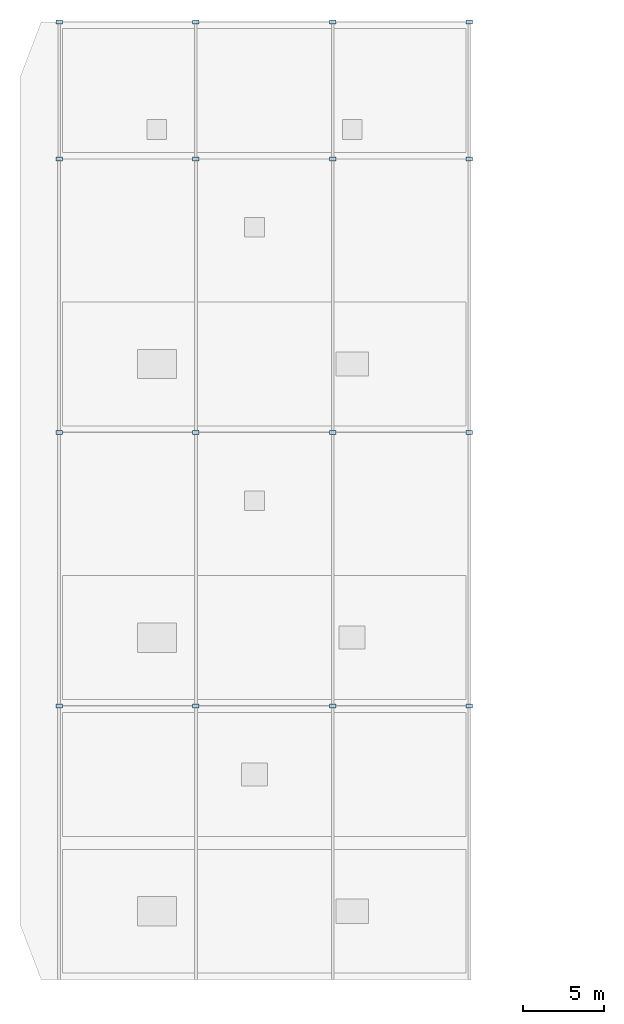
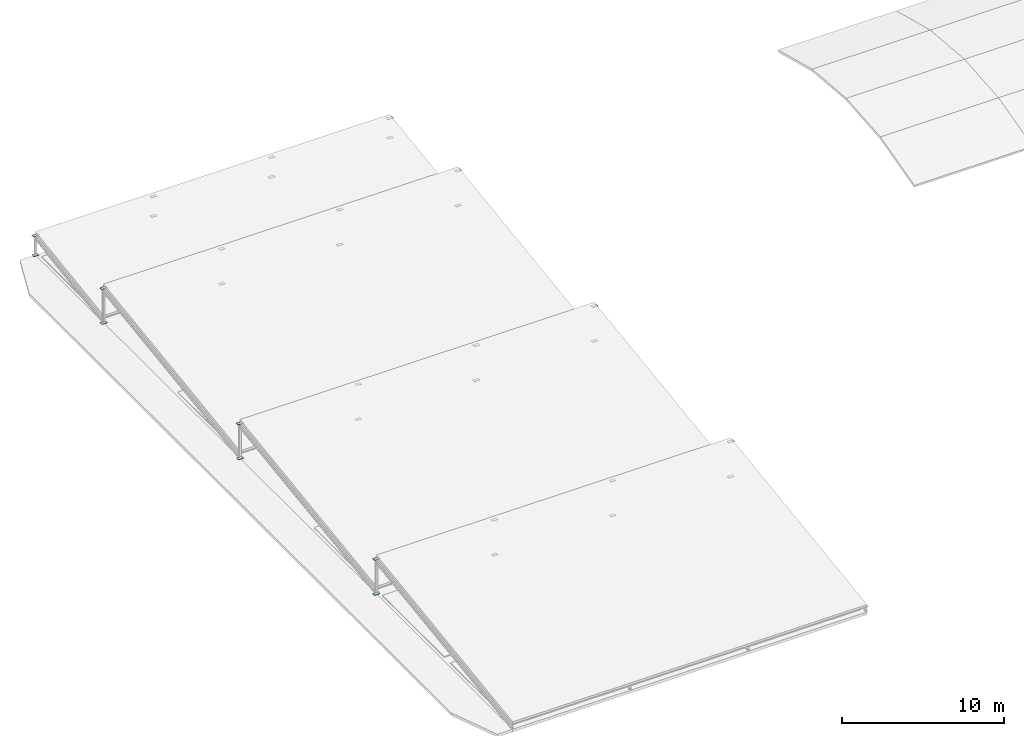
# One storey, part 11 of 12: 32 plates.
"""IFC4 building model written with IfcOpenShell, lengths in metres."""

from ifc_helpers import new_model, si_unit, direction, frame, origin, origin_2d, place, context, subcontext, project, spatial, rectangle, extrude, material, layer, layer_set, type_object, element, save


model = new_model("IFC4")

# Units and contexts
model_context = context("Model", 3, precision=1e-05, world=origin(), true_north=direction((0.0, 1.0)))
body_context = subcontext(model_context, "Body", "Model", "MODEL_VIEW")
ifc_project = project(units=[si_unit("LENGTHUNIT", "METRE"), si_unit("AREAUNIT", "SQUARE_METRE"), si_unit("VOLUMEUNIT", "CUBIC_METRE"), si_unit("PLANEANGLEUNIT", "RADIAN"), si_unit("MASSUNIT", "GRAM", prefix="KILO")], contexts=[model_context])

# Site, building, storey
site_placement = place(None, origin())
site = spatial("IfcSite", under=ifc_project, at=site_placement, CompositionType="ELEMENT")
building_placement = place(site_placement, origin())
building = spatial("IfcBuilding", under=site, at=building_placement, Name="Varnapada Polytechnic", CompositionType="ELEMENT")
storey_placement = place(building_placement, frame((0.0, 0.0, 30.60009765625)))
storey = spatial("IfcBuildingStorey", under=building, at=storey_placement, Name="Roof", CompositionType="ELEMENT", Elevation=30.60009765625)

# Plates
ifc_material = material(Name="Steel S355", Category="steel")
ifc_layer = layer(ifc_material, 0.01806640625)
ifc_layer_set = layer_set([ifc_layer], Name="Steel S355")
plate_type = type_object("IfcPlateType", Name="Plate BP-06", PredefinedType="SHEET", material=ifc_layer_set)
for number, where, z_axis, x_axis, name in (
    (1, (0.0, 75.60009765625, -0.009033203125), (0.0, 0.0, 1.0), (1.0, 0.0, 0.0), "Post splice gusset plate SAW-PPL-1-0 B"),
    (2, (0.0, 75.60009765625, 2.620849609375), (0.0, 0.0, 1.0), (1.0, 0.0, 0.0), "Post splice gusset plate SAW-PPL-1-0 T"),
    (3, (8.39990234375, 75.60009765625, -0.009033203125), (0.0, 0.0, 1.0), (1.0, 0.0, 0.0), "Post splice gusset plate SAW-PPL-1-1 B"),
    (4, (8.39990234375, 75.60009765625, 2.620849609375), (0.0, 0.0, 1.0), (1.0, 0.0, 0.0), "Post splice gusset plate SAW-PPL-1-1 T"),
    (5, (16.800048828125, 75.60009765625, -0.009033203125), (0.0, 0.0, 1.0), (1.0, 0.0, 0.0), "Post splice gusset plate SAW-PPL-1-2 B"),
    (6, (16.800048828125, 75.60009765625, 2.620849609375), (0.0, 0.0, 1.0), (1.0, 0.0, 0.0), "Post splice gusset plate SAW-PPL-1-2 T"),
    (7, (25.199951171875, 75.60009765625, -0.009033203125), (0.0, 0.0, 1.0), (1.0, 0.0, 0.0), "Post splice gusset plate SAW-PPL-1-3 B"),
    (8, (25.199951171875, 75.60009765625, 2.620849609375), (0.0, 0.0, 1.0), (1.0, 0.0, 0.0), "Post splice gusset plate SAW-PPL-1-3 T"),
    (9, (0.0, 92.39990234375, -0.009033203125), (0.0, 0.0, 1.0), (1.0, 0.0, 0.0), "Post splice gusset plate SAW-PPL-2-0 B"),
    (10, (0.0, 92.39990234375, 2.620849609375), (0.0, 0.0, 1.0), (1.0, 0.0, 0.0), "Post splice gusset plate SAW-PPL-2-0 T"),
    (11, (8.39990234375, 92.39990234375, -0.009033203125), (0.0, 0.0, 1.0), (1.0, 0.0, 0.0), "Post splice gusset plate SAW-PPL-2-1 B"),
    (12, (8.39990234375, 92.39990234375, 2.620849609375), (0.0, 0.0, 1.0), (1.0, 0.0, 0.0), "Post splice gusset plate SAW-PPL-2-1 T"),
    (13, (16.800048828125, 92.39990234375, -0.009033203125), (0.0, 0.0, 1.0), (1.0, 0.0, 0.0), "Post splice gusset plate SAW-PPL-2-2 B"),
    (14, (16.800048828125, 92.39990234375, 2.620849609375), (0.0, 0.0, 1.0), (1.0, 0.0, 0.0), "Post splice gusset plate SAW-PPL-2-2 T"),
    (15, (25.199951171875, 92.39990234375, -0.009033203125), (0.0, 0.0, 1.0), (1.0, 0.0, 0.0), "Post splice gusset plate SAW-PPL-2-3 B"),
    (16, (25.199951171875, 92.39990234375, 2.620849609375), (0.0, 0.0, 1.0), (1.0, 0.0, 0.0), "Post splice gusset plate SAW-PPL-2-3 T"),
    (17, (0.0, 109.199951171875, -0.009033203125), (0.0, 0.0, 1.0), (1.0, 0.0, 0.0), "Post splice gusset plate SAW-PPL-3-0 B"),
    (18, (0.0, 109.199951171875, 2.620849609375), (0.0, 0.0, 1.0), (1.0, 0.0, 0.0), "Post splice gusset plate SAW-PPL-3-0 T"),
    (19, (8.39990234375, 109.199951171875, -0.009033203125), (0.0, 0.0, 1.0), (1.0, 0.0, 0.0), "Post splice gusset plate SAW-PPL-3-1 B"),
    (20, (8.39990234375, 109.199951171875, 2.620849609375), (0.0, 0.0, 1.0), (1.0, 0.0, 0.0), "Post splice gusset plate SAW-PPL-3-1 T"),
    (21, (16.800048828125, 109.199951171875, -0.009033203125), (0.0, 0.0, 1.0), (1.0, 0.0, 0.0), "Post splice gusset plate SAW-PPL-3-2 B"),
    (22, (16.800048828125, 109.199951171875, 2.620849609375), (0.0, 0.0, 1.0), (1.0, 0.0, 0.0), "Post splice gusset plate SAW-PPL-3-2 T"),
    (23, (25.199951171875, 109.199951171875, -0.009033203125), (0.0, 0.0, 1.0), (1.0, 0.0, 0.0), "Post splice gusset plate SAW-PPL-3-3 B"),
    (24, (25.199951171875, 109.199951171875, 2.620849609375), (0.0, 0.0, 1.0), (1.0, 0.0, 0.0), "Post splice gusset plate SAW-PPL-3-3 T"),
    (25, (0.0, 117.60009765625, -0.009033203125), (0.0, 0.0, 1.0), (1.0, 0.0, 0.0), "Post splice gusset plate SAW-PPL-4-0 B"),
    (26, (0.0, 117.60009765625, 1.470947265625), (0.0, 0.0, 1.0), (1.0, 0.0, 0.0), "Post splice gusset plate SAW-PPL-4-0 T"),
    (27, (8.39990234375, 117.60009765625, -0.009033203125), (0.0, 0.0, 1.0), (1.0, 0.0, 0.0), "Post splice gusset plate SAW-PPL-4-1 B"),
    (28, (8.39990234375, 117.60009765625, 1.470947265625), (0.0, 0.0, 1.0), (1.0, 0.0, 0.0), "Post splice gusset plate SAW-PPL-4-1 T"),
    (29, (16.800048828125, 117.60009765625, -0.009033203125), (0.0, 0.0, 1.0), (1.0, 0.0, 0.0), "Post splice gusset plate SAW-PPL-4-2 B"),
    (30, (16.800048828125, 117.60009765625, 1.470947265625), (0.0, 0.0, 1.0), (1.0, 0.0, 0.0), "Post splice gusset plate SAW-PPL-4-2 T"),
    (31, (25.199951171875, 117.60009765625, -0.009033203125), (0.0, 0.0, 1.0), (1.0, 0.0, 0.0), "Post splice gusset plate SAW-PPL-4-3 B"),
    (32, (25.199951171875, 117.60009765625, 1.470947265625), (0.0, 0.0, 1.0), (1.0, 0.0, 0.0), "Post splice gusset plate SAW-PPL-4-3 T"),
):
    element("IfcPlate", number, at=place(storey_placement, frame(where, z_axis=z_axis, x_axis=x_axis)), inside=storey, type_object=plate_type, Name=name, PredefinedType="SHEET", context=body_context, shape_type="SweptSolid", body=[
        extrude(rectangle(XDim=0.39990234375, YDim=0.25, at=origin_2d()), origin(), (0.0, 0.0, 1.0), 0.01806640625),
    ])

save(model, "model.ifc")
